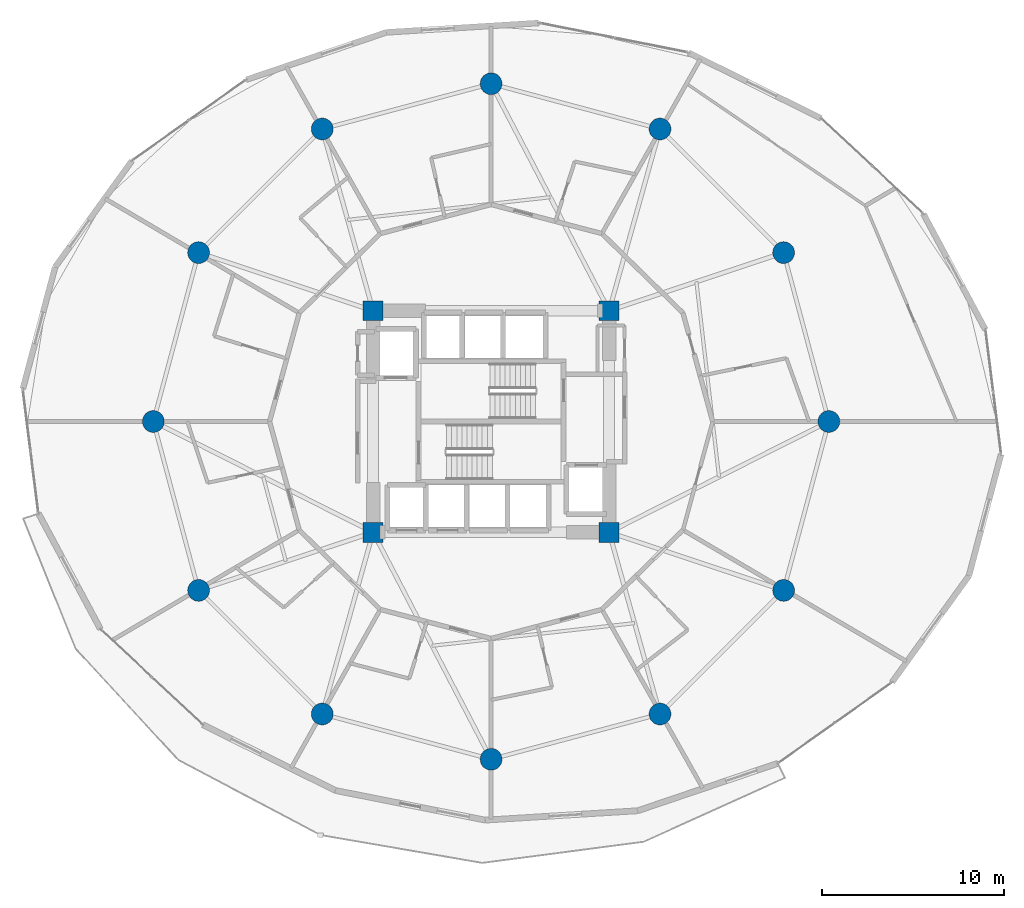
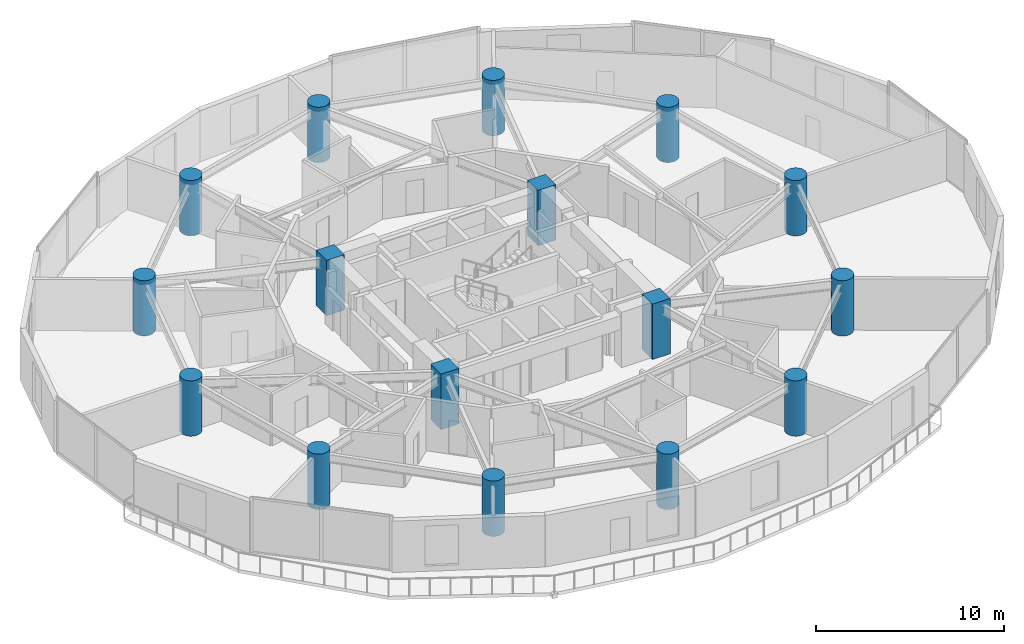
# One storey, part 1 of 26: 16 columns.
"""IFC4 building model written with IfcOpenShell, lengths in metres."""

import ifcopenshell
import ifcopenshell.guid

model = None  # the IFC model being written
_history = None  # IfcOwnerHistory: only IFC2X3 demands one
_inside = {}  # id of a spatial element -> (the spatial element, [elements in it])
_under = {}  # id of a project, library or spatial element -> (it, [spatial elements below it])
_declared = {}  # id of a project -> (the project, [libraries it declares])
_typed = {}  # id of a type object -> (the type object, [elements of that type])
_made_of = {}  # id of a material, layer set ... -> (it, [elements and type objects made of it])


def new_model(schema):
    """Start an empty IFC model of exactly this schema.

    Asked for "IFC4X3", IfcOpenShell would pick the latest addendum, in which some entities
    have other attributes; the version numbers below select the first issue.
    IFC2X3 requires an IfcOwnerHistory on every rooted entity: one is made here for all.
    """
    global model, _history
    if schema == "IFC4X3":
        model = ifcopenshell.file(schema_version=(4, 3, 0, 0))
    else:
        model = ifcopenshell.file(schema=schema)
    _inside.clear()
    _under.clear()
    _declared.clear()
    _typed.clear()
    _made_of.clear()
    _history = None
    if model.schema == "IFC2X3":
        org = make("IfcOrganization", Name="unknown")
        user = make(
            "IfcPersonAndOrganization",
            ThePerson=make("IfcPerson", FamilyName="unknown"),
            TheOrganization=org,
        )
        app = make(
            "IfcApplication",
            ApplicationDeveloper=org,
            Version="unknown",
            ApplicationFullName="unknown",
            ApplicationIdentifier="unknown",
        )
        _history = make(
            "IfcOwnerHistory",
            OwningUser=user,
            OwningApplication=app,
            ChangeAction="ADDED",
            CreationDate=0,
        )
    return model


def make(cls, **values):
    """One entity of the class cls with the attributes given. An attribute that is None is left unset."""
    return model.create_entity(
        cls, **{name: value for name, value in values.items() if value is not None}
    )


def rooted(cls, **values):
    """An entity with a GlobalId (a new one), such as an element, a storey or a relation."""
    return make(cls, GlobalId=ifcopenshell.guid.new(), OwnerHistory=_history, **values)


def si_unit(unit_type, name, prefix=None):
    """IfcSIUnit, for example si_unit("LENGTHUNIT", "METRE", prefix="MILLI")."""
    return make("IfcSIUnit", UnitType=unit_type, Prefix=prefix, Name=name)


def assignment(units):
    """IfcUnitAssignment: the units of a project."""
    return None if units is None else make("IfcUnitAssignment", Units=units)


def point(xyz):
    """IfcCartesianPoint."""
    return None if xyz is None else make("IfcCartesianPoint", Coordinates=xyz)


def direction(xyz):
    """IfcDirection."""
    return None if xyz is None else make("IfcDirection", DirectionRatios=xyz)


def frame(location, z_axis=None, x_axis=None):
    """IfcAxis2Placement3D, a coordinate frame: its origin and axes. An axis left out is left unset."""
    return make(
        "IfcAxis2Placement3D",
        Location=point(location),
        Axis=direction(z_axis),
        RefDirection=direction(x_axis),
    )


def frame_2d(location, x_axis=None):
    """IfcAxis2Placement2D, a coordinate frame in the plane: its origin and x axis."""
    return make(
        "IfcAxis2Placement2D", Location=point(location), RefDirection=direction(x_axis)
    )


def origin():
    """The frame at (0, 0, 0) with its axes left unset."""
    return frame((0.0, 0.0, 0.0))


def origin_2d():
    """The frame at (0, 0) in the plane with its x axis left unset."""
    return frame_2d((0.0, 0.0))


def place(relative_to, where):
    """IfcLocalPlacement: puts the frame where relative to a parent placement (None: the world)."""
    return make(
        "IfcLocalPlacement", PlacementRelTo=relative_to, RelativePlacement=where
    )


def context(
    kind, dimensions, precision=None, world=None, true_north=None, identifier=None
):
    """IfcGeometricRepresentationContext, for example the 3D "Model" context."""
    return make(
        "IfcGeometricRepresentationContext",
        ContextIdentifier=identifier,
        ContextType=kind,
        CoordinateSpaceDimension=dimensions,
        Precision=precision,
        WorldCoordinateSystem=world,
        TrueNorth=true_north,
    )


def subcontext(parent, identifier, kind, view, scale=None):
    """IfcGeometricRepresentationSubContext, for example "Body" below "Model"."""
    return make(
        "IfcGeometricRepresentationSubContext",
        ContextIdentifier=identifier,
        ContextType=kind,
        ParentContext=parent,
        TargetScale=scale,
        TargetView=view,
    )


def project(units=None, contexts=None):
    """IfcProject with its units and contexts."""
    return rooted(
        "IfcProject",
        Name="project",
        RepresentationContexts=contexts,
        UnitsInContext=assignment(units),
    )


def spatial(cls, under=None, at=None, **own):
    """A site, building, storey or space (cls), placed at a placement, below another one or the project."""
    s = rooted(cls, ObjectPlacement=at, **own)
    if under is not None:
        _under.setdefault(under.id(), (under, []))[1].append(s)
    return s


def profile(cls, at=None, kind="AREA", **sizes):
    """A parametric profile (cls). Its sizes go by their IFC names, for example OverallWidth=200.0."""
    return make(cls, ProfileType=kind, Position=at, **sizes)


def rectangle(**sizes):
    """IfcRectangleProfileDef."""
    return profile("IfcRectangleProfileDef", **sizes)


def circle(**sizes):
    """IfcCircleProfileDef."""
    return profile("IfcCircleProfileDef", **sizes)


def extrude(swept, where, along, depth):
    """IfcExtrudedAreaSolid: the profile swept, set in the frame where, extruded along a direction by depth."""
    return make(
        "IfcExtrudedAreaSolid",
        SweptArea=swept,
        Position=where,
        ExtrudedDirection=direction(along),
        Depth=depth,
    )


def shape(context_of_items, identifier, shape_type, items):
    """IfcShapeRepresentation: the items that make up one representation, for example the "Body"."""
    return make(
        "IfcShapeRepresentation",
        ContextOfItems=context_of_items,
        RepresentationIdentifier=identifier,
        RepresentationType=shape_type,
        Items=items,
    )


def material(Name=None, Category=None):
    """IfcMaterial."""
    return make("IfcMaterial", Name=Name, Category=Category)


def material_profile(
    of_material, cross_section, Name=None, Category=None, Priority=None
):
    """IfcMaterialProfile: a cross section and its material."""
    return make(
        "IfcMaterialProfile",
        Name=Name,
        Material=of_material,
        Profile=cross_section,
        Priority=Priority,
        Category=Category,
    )


def profile_set(profiles, Name=None, composite=None):
    """IfcMaterialProfileSet."""
    return make(
        "IfcMaterialProfileSet",
        Name=Name,
        MaterialProfiles=profiles,
        CompositeProfile=composite,
    )


def made_of(thing, what):
    """Note that an element or type object is made of a material, layer set ...; save() writes the relation."""
    if what is not None:
        _made_of.setdefault(what.id(), (what, []))[1].append(thing)
    return thing


def type_object(cls, material=None, **own):
    """A type object (cls), such as IfcWallType, which elements share."""
    return made_of(rooted(cls, **own), material)


def element(
    cls,
    number,
    at=None,
    inside=None,
    cuts=None,
    type_object=None,
    material=None,
    context=None,
    identifier="Body",
    shape_type=None,
    held_by="IfcProductDefinitionShape",
    body=None,
    shapes=None,
    **own,
):
    """One element of the class cls, such as IfcWall. Its Tag is "e" and its number.

    at: its placement. inside: the storey or other place that contains it. cuts: it is an
    opening in that element (IfcRelVoidsElement). A single representation is given by context,
    identifier, shape_type and body (its items); several are given by shapes. held_by: the class
    of the entity that holds the representations. save() writes the other relations.
    """
    e = rooted(cls, Tag="e%d" % number, ObjectPlacement=at, **own)
    if body is not None:
        shapes = [shape(context, identifier, shape_type, body)]
    if shapes is not None:
        e.Representation = make(held_by, Representations=shapes)
    if inside is not None:
        _inside.setdefault(inside.id(), (inside, []))[1].append(e)
    if cuts is not None:
        rooted(
            "IfcRelVoidsElement", RelatingBuildingElement=cuts, RelatedOpeningElement=e
        )
    if type_object is not None:
        _typed.setdefault(type_object.id(), (type_object, []))[1].append(e)
    return made_of(e, material)


def aggregate(whole, parts):
    """IfcRelAggregates: a whole, such as a stair, and the parts it consists of."""
    return rooted("IfcRelAggregates", RelatingObject=whole, RelatedObjects=parts)


def save(model, path):
    """Write the relations noted so far, then the file.

    IfcRelAggregates (storeys below a building ...), IfcRelContainedInSpatialStructure (elements
    in a storey), IfcRelDefinesByType, IfcRelAssociatesMaterial and IfcRelDeclares: one each for
    every whole, place, type object, material and project.
    """
    for whole, parts in _under.values():
        aggregate(whole, parts)
    for where, things in _inside.values():
        rooted(
            "IfcRelContainedInSpatialStructure",
            RelatedElements=things,
            RelatingStructure=where,
        )
    for kind, things in _typed.values():
        rooted("IfcRelDefinesByType", RelatedObjects=things, RelatingType=kind)
    for what, things in _made_of.values():
        rooted("IfcRelAssociatesMaterial", RelatedObjects=things, RelatingMaterial=what)
    for by, libraries in _declared.values():
        rooted("IfcRelDeclares", RelatingContext=by, RelatedDefinitions=libraries)
    model.write(path)


model = new_model("IFC4")

# Units and contexts
model_context = context("Model", 3, precision=1e-05, world=origin(), true_north=direction((0.0, 1.0)))
body_context = subcontext(model_context, "Body", "Model", "MODEL_VIEW")
ifc_project = project(units=[si_unit("LENGTHUNIT", "METRE"), si_unit("AREAUNIT", "SQUARE_METRE"), si_unit("VOLUMEUNIT", "CUBIC_METRE"), si_unit("PLANEANGLEUNIT", "RADIAN"), si_unit("MASSUNIT", "GRAM", prefix="KILO")], contexts=[model_context])

# Site, building, storey
site_placement = place(None, origin())
site = spatial("IfcSite", under=ifc_project, at=site_placement, CompositionType="ELEMENT")
building_placement = place(site_placement, origin())
building = spatial("IfcBuilding", under=site, at=building_placement, Name="Solvirekh Grand Hotel", CompositionType="ELEMENT")
storey_placement = place(building_placement, frame((0.0, 0.0, 32.0)))
storey = spatial("IfcBuildingStorey", under=building, at=storey_placement, Name="L06", CompositionType="ELEMENT", Elevation=32.0)

# Columns
ifc_material = material(Name="Concrete C60/75", Category="concrete")
ifc_material_profile_1 = material_profile(ifc_material, rectangle(XDim=1.10009765625, YDim=1.10009765625, at=origin_2d()), Name="RC 1100X1100")
ifc_profile_set_1 = profile_set([ifc_material_profile_1], Name="Concrete C60/75")
column_type_1 = type_object("IfcColumnType", Name="Col_Core_1100", PredefinedType="COLUMN", material=ifc_profile_set_1)
for number, where, z_axis, x_axis, name in (
    (1, (-6.5, -6.10009765625, 0.0), (0.0, 0.0, 1.0), (1.0, 0.0, 0.0), "L06 core corner column CC1"),
    (2, (6.5, -6.10009765625, 0.0), (0.0, 0.0, 1.0), (1.0, 0.0, 0.0), "L06 core corner column CC2"),
    (3, (6.5, 6.10009765625, 0.0), (0.0, 0.0, 1.0), (1.0, 0.0, 0.0), "L06 core corner column CC3"),
    (4, (-6.5, 6.10009765625, 0.0), (0.0, 0.0, 1.0), (1.0, 0.0, 0.0), "L06 core corner column CC4"),
):
    element("IfcColumn", number, at=place(storey_placement, frame(where, z_axis=z_axis, x_axis=x_axis)), inside=storey, type_object=column_type_1, Name=name, PredefinedType="COLUMN", context=body_context, shape_type="SweptSolid", body=[
        extrude(rectangle(XDim=1.10009765625, YDim=1.10009765625, at=origin_2d()), origin(), (0.0, 0.0, 1.0), 3.60009765625),
    ])
ifc_material_profile_2 = material_profile(ifc_material, circle(Radius=0.60009765625, at=origin_2d()), Name="RC CIRC D1200")
ifc_profile_set_2 = profile_set([ifc_material_profile_2], Name="Concrete C60/75")
column_type_2 = type_object("IfcColumnType", Name="Col_Z1_D1200", PredefinedType="COLUMN", material=ifc_profile_set_2)
for number, where, z_axis, x_axis, name in (
    (5, (18.60009765625, 0.0, 0.0), (0.0, 0.0, 1.0), (1.0, 0.0, 0.0), "L06 perimeter column P01"),
    (6, (16.10791015625, 9.300048828125, 0.0), (0.0, 0.0, 1.0), (1.0, 0.0, 0.0), "L06 perimeter column P02"),
    (7, (9.300048828125, 16.10791015625, 0.0), (0.0, 0.0, 1.0), (1.0, 0.0, 0.0), "L06 perimeter column P03"),
    (8, (0.0, 18.60009765625, 0.0), (0.0, 0.0, 1.0), (1.0, 0.0, 0.0), "L06 perimeter column P04"),
    (9, (-9.300048828125, 16.10791015625, 0.0), (0.0, 0.0, 1.0), (1.0, 0.0, 0.0), "L06 perimeter column P05"),
    (10, (-16.10791015625, 9.300048828125, 0.0), (0.0, 0.0, 1.0), (1.0, 0.0, 0.0), "L06 perimeter column P06"),
    (11, (-18.60009765625, 0.0, 0.0), (0.0, 0.0, 1.0), (1.0, 0.0, 0.0), "L06 perimeter column P07"),
    (12, (-16.10791015625, -9.300048828125, 0.0), (0.0, 0.0, 1.0), (1.0, 0.0, 0.0), "L06 perimeter column P08"),
    (13, (-9.300048828125, -16.10791015625, 0.0), (0.0, 0.0, 1.0), (1.0, 0.0, 0.0), "L06 perimeter column P09"),
    (14, (0.0, -18.60009765625, 0.0), (0.0, 0.0, 1.0), (1.0, 0.0, 0.0), "L06 perimeter column P10"),
    (15, (9.300048828125, -16.10791015625, 0.0), (0.0, 0.0, 1.0), (1.0, 0.0, 0.0), "L06 perimeter column P11"),
    (16, (16.10791015625, -9.300048828125, 0.0), (0.0, 0.0, 1.0), (1.0, 0.0, 0.0), "L06 perimeter column P12"),
):
    element("IfcColumn", number, at=place(storey_placement, frame(where, z_axis=z_axis, x_axis=x_axis)), inside=storey, type_object=column_type_2, Name=name, PredefinedType="COLUMN", context=body_context, shape_type="SweptSolid", body=[
        extrude(circle(Radius=0.60009765625, at=origin_2d()), origin(), (0.0, 0.0, 1.0), 3.60009765625),
    ])

save(model, "model.ifc")
